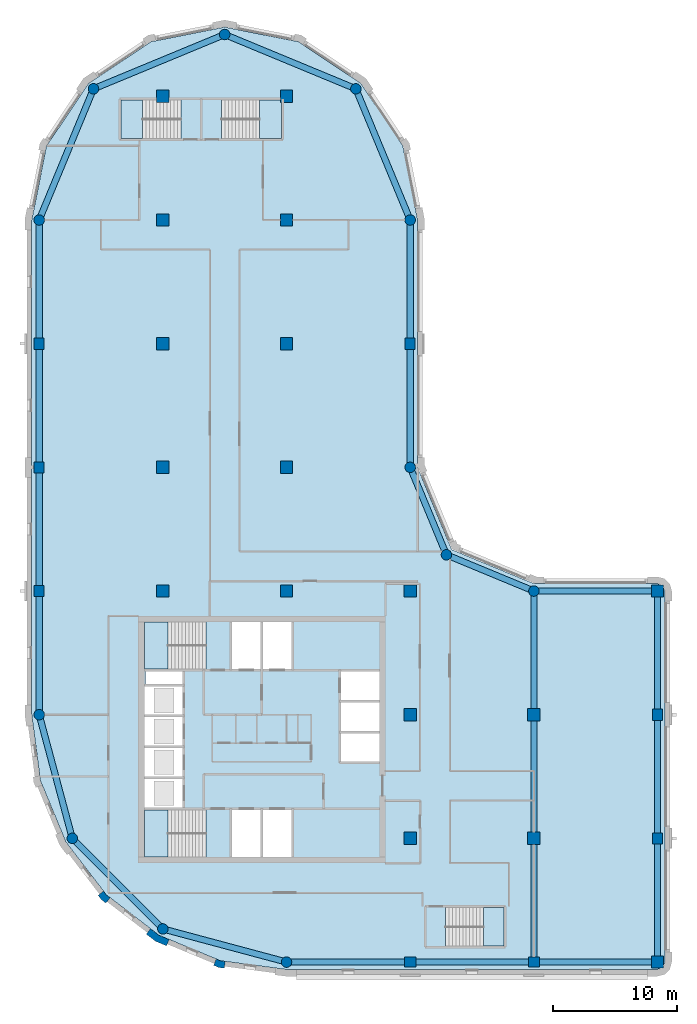
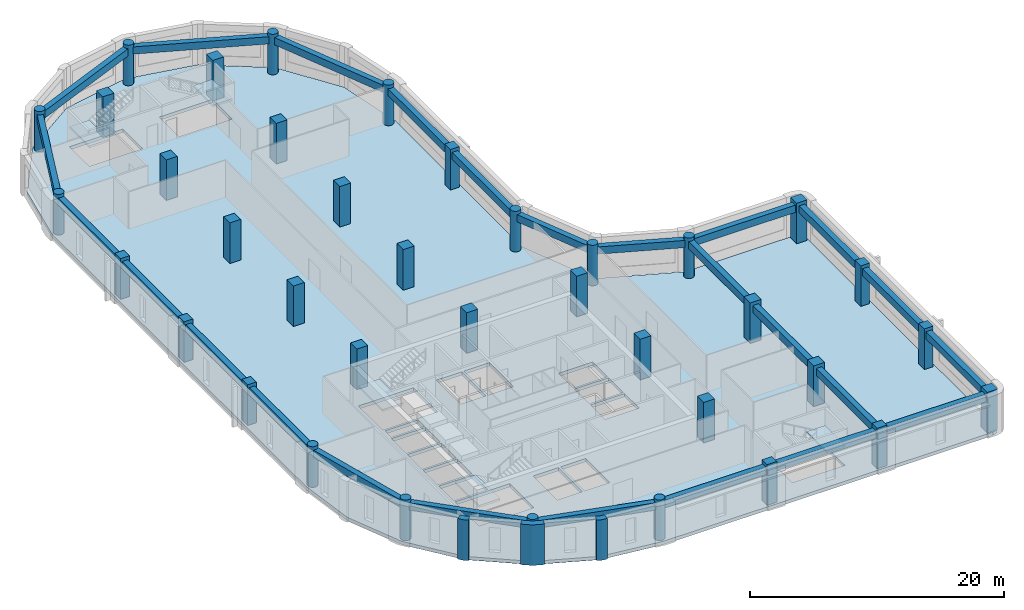
# One storey, part 1 of 8: 37 columns, 25 beams, 6 slabs, 3 walls, 5 elements without a shape of their own.
"""IFC4 building model written with IfcOpenShell, lengths in metres."""

from ifc_helpers import new_model, si_unit, direction, frame, origin, origin_2d, place, context, subcontext, project, spatial, polyline, rectangle, circle, outline, extrude, material, layer, layer_set, material_profile, profile_set, type_object, element, aggregate, save


model = new_model("IFC4")

# Units and contexts
model_context = context("Model", 3, precision=1e-05, world=origin(), true_north=direction((0.0, 1.0)))
body_context = subcontext(model_context, "Body", "Model", "MODEL_VIEW")
ifc_project = project(units=[si_unit("LENGTHUNIT", "METRE"), si_unit("AREAUNIT", "SQUARE_METRE"), si_unit("VOLUMEUNIT", "CUBIC_METRE"), si_unit("PLANEANGLEUNIT", "RADIAN"), si_unit("MASSUNIT", "GRAM", prefix="KILO")], contexts=[model_context])

# Site, building, storey
site_placement = place(None, origin())
site = spatial("IfcSite", under=ifc_project, at=site_placement, CompositionType="ELEMENT")
building_placement = place(site_placement, origin())
building = spatial("IfcBuilding", under=site, at=building_placement, Name="Qaws Garden Tower", CompositionType="ELEMENT")
storey_placement = place(building_placement, frame((0.0, 0.0, 274.800048828125)))
storey = spatial("IfcBuildingStorey", under=building, at=storey_placement, Name="L66", CompositionType="ELEMENT", Elevation=274.800048828125)

# Columns
ifc_material_1 = material(Name="Concrete C60", Category="concrete")
ifc_material_profile_1 = material_profile(ifc_material_1, rectangle(XDim=1.0, YDim=1.0, at=origin_2d()), Name="RC 1000x1000")
ifc_profile_set_1 = profile_set([ifc_material_profile_1], Name="Concrete C60")
column_type_1 = type_object("IfcColumnType", Name="Column RC 1000x1000 C60", PredefinedType="COLUMN", material=ifc_profile_set_1)
for number, where, z_axis, x_axis, name in (
    (1, (10.0, 30.0, 0.0), (0.0, 0.0, 1.0), (1.0, 0.0, 0.0), "Column L66-023"),
    (2, (10.0, 40.0, 0.0), (0.0, 0.0, 1.0), (1.0, 0.0, 0.0), "Column L66-024"),
    (3, (10.0, 50.0, 0.0), (0.0, 0.0, 1.0), (1.0, 0.0, 0.0), "Column L66-025"),
    (4, (10.0, 60.0, 0.0), (0.0, 0.0, 1.0), (1.0, 0.0, 0.0), "Column L66-026"),
    (5, (10.0, 70.0, 0.0), (0.0, 0.0, 1.0), (1.0, 0.0, 0.0), "Column L66-027"),
    (6, (20.0, 30.0, 0.0), (0.0, 0.0, 1.0), (1.0, 0.0, 0.0), "Column L66-028"),
    (7, (20.0, 40.0, 0.0), (0.0, 0.0, 1.0), (1.0, 0.0, 0.0), "Column L66-029"),
    (8, (20.0, 50.0, 0.0), (0.0, 0.0, 1.0), (1.0, 0.0, 0.0), "Column L66-030"),
    (9, (20.0, 60.0, 0.0), (0.0, 0.0, 1.0), (1.0, 0.0, 0.0), "Column L66-031"),
    (10, (20.0, 70.0, 0.0), (0.0, 0.0, 1.0), (1.0, 0.0, 0.0), "Column L66-032"),
    (11, (30.0, 10.0, 0.0), (0.0, 0.0, 1.0), (1.0, 0.0, 0.0), "Column L66-033"),
    (12, (30.0, 20.0, 0.0), (0.0, 0.0, 1.0), (1.0, 0.0, 0.0), "Column L66-034"),
    (13, (30.0, 30.0, 0.0), (0.0, 0.0, 1.0), (1.0, 0.0, 0.0), "Column L66-035"),
    (14, (40.0, 10.0, 0.0), (0.0, 0.0, 1.0), (1.0, 0.0, 0.0), "Column L66-036"),
    (15, (40.0, 20.0, 0.0), (0.0, 0.0, 1.0), (1.0, 0.0, 0.0), "Column L66-037"),
):
    element("IfcColumn", number, at=place(storey_placement, frame(where, z_axis=z_axis, x_axis=x_axis)), inside=storey, type_object=column_type_1, Name=name, PredefinedType="COLUMN", context=body_context, shape_type="SweptSolid", body=[
        extrude(rectangle(XDim=1.0, YDim=1.0, at=origin_2d()), origin(), (0.0, 0.0, 1.0), 3.89990234375),
    ])
ifc_material_2 = material(Name="Concrete C60", Category="concrete")
ifc_material_profile_2 = material_profile(ifc_material_2, rectangle(XDim=0.89990234375, YDim=0.800048828125, at=origin_2d()), Name="RC 900x800")
ifc_profile_set_2 = profile_set([ifc_material_profile_2], Name="Concrete C60")
column_type_2 = type_object("IfcColumnType", Name="Column RC 900x800 C60", PredefinedType="COLUMN", material=ifc_profile_set_2)
for number, where, z_axis, x_axis, name in (
    (16, (30.0, 0.0, 0.0), (0.0, 0.0, 1.0), (1.0, 0.0, 0.0), "Column L66-002"),
    (17, (40.0, 0.0, 0.0), (0.0, 0.0, 1.0), (1.0, 0.0, 0.0), "Column L66-003"),
    (18, (50.0, 10.0, 0.0), (0.0, 0.0, 1.0), (0.0, 1.0, 0.0), "Column L66-005"),
    (19, (50.0, 20.0, 0.0), (0.0, 0.0, 1.0), (0.0, 1.0, 0.0), "Column L66-006"),
    (20, (30.0, 50.0, 0.0), (0.0, 0.0, 1.0), (0.0, 1.0, 0.0), "Column L66-011"),
    (21, (0.0, 50.0, 0.0), (0.0, 0.0, 1.0), (0.0, 1.0, 0.0), "Column L66-017"),
    (22, (0.0, 40.0, 0.0), (0.0, 0.0, 1.0), (0.0, 1.0, 0.0), "Column L66-018"),
    (23, (0.0, 30.0, 0.0), (0.0, 0.0, 1.0), (0.0, 1.0, 0.0), "Column L66-019"),
):
    element("IfcColumn", number, at=place(storey_placement, frame(where, z_axis=z_axis, x_axis=x_axis)), inside=storey, type_object=column_type_2, Name=name, PredefinedType="COLUMN", context=body_context, shape_type="SweptSolid", body=[
        extrude(rectangle(XDim=0.89990234375, YDim=0.800048828125, at=origin_2d()), origin(), (0.0, 0.0, 1.0), 3.89990234375),
    ])
ifc_material_3 = material(Name="Concrete C60", Category="concrete")
ifc_material_profile_3 = material_profile(ifc_material_3, rectangle(XDim=0.949951171875, YDim=0.949951171875, at=origin_2d()), Name="RC 950x950")
ifc_profile_set_3 = profile_set([ifc_material_profile_3], Name="Concrete C60")
column_type_3 = type_object("IfcColumnType", Name="Column RC 950x950 C60", PredefinedType="COLUMN", material=ifc_profile_set_3)
for number, where, z_axis, x_axis, name in (
    (24, (50.0, 0.0, 0.0), (0.0, 0.0, 1.0), (1.0, 0.0, 0.0), "Column L66-004"),
    (25, (50.0, 30.0, 0.0), (0.0, 0.0, 1.0), (1.0, 0.0, 0.0), "Column L66-007"),
):
    element("IfcColumn", number, at=place(storey_placement, frame(where, z_axis=z_axis, x_axis=x_axis)), inside=storey, type_object=column_type_3, Name=name, PredefinedType="COLUMN", context=body_context, shape_type="SweptSolid", body=[
        extrude(rectangle(XDim=0.949951171875, YDim=0.949951171875, at=origin_2d()), origin(), (0.0, 0.0, 1.0), 3.89990234375),
    ])
ifc_material_4 = material(Name="Concrete C60", Category="concrete")
ifc_material_profile_4 = material_profile(ifc_material_4, circle(Radius=0.425048828125, at=origin_2d()), Name="RC D850")
ifc_profile_set_4 = profile_set([ifc_material_profile_4], Name="Concrete C60")
column_type_4 = type_object("IfcColumnType", Name="Column RC D850 C60", PredefinedType="COLUMN", material=ifc_profile_set_4)
for number, where, z_axis, x_axis, name in (
    (26, (20.0, 0.0, 0.0), (0.0, 0.0, 1.0), (1.0, 0.0, 0.0), "Column L66-001"),
    (27, (40.0, 30.0, 0.0), (0.0, 0.0, 1.0), (1.0, 0.0, 0.0), "Column L66-008"),
    (28, (32.928955078125, 32.928955078125, 0.0), (0.0, 0.0, 1.0), (1.0, 0.0, 0.0), "Column L66-009"),
    (29, (30.0, 40.0, 0.0), (0.0, 0.0, 1.0), (1.0, 0.0, 0.0), "Column L66-010"),
    (30, (30.0, 60.0, 0.0), (0.0, 0.0, 1.0), (1.0, 0.0, 0.0), "Column L66-012"),
    (31, (25.606689453125, 70.606689453125, 0.0), (0.0, 0.0, 1.0), (1.0, 0.0, 0.0), "Column L66-013"),
    (32, (15.0, 75.0, 0.0), (0.0, 0.0, 1.0), (1.0, 0.0, 0.0), "Column L66-014"),
    (33, (4.393310546875, 70.606689453125, 0.0), (0.0, 0.0, 1.0), (1.0, 0.0, 0.0), "Column L66-015"),
    (34, (0.0, 60.0, 0.0), (0.0, 0.0, 1.0), (1.0, 0.0, 0.0), "Column L66-016"),
    (35, (0.0, 20.0, 0.0), (0.0, 0.0, 1.0), (1.0, 0.0, 0.0), "Column L66-020"),
    (36, (2.679443359375, 10.0, 0.0), (0.0, 0.0, 1.0), (1.0, 0.0, 0.0), "Column L66-021"),
    (37, (10.0, 2.679443359375, 0.0), (0.0, 0.0, 1.0), (1.0, 0.0, 0.0), "Column L66-022"),
):
    element("IfcColumn", number, at=place(storey_placement, frame(where, z_axis=z_axis, x_axis=x_axis)), inside=storey, type_object=column_type_4, Name=name, PredefinedType="COLUMN", context=body_context, shape_type="SweptSolid", body=[
        extrude(circle(Radius=0.425048828125, at=origin_2d()), origin(), (0.0, 0.0, 1.0), 3.89990234375),
    ])

# Beams
ifc_material_5 = material(Name="Concrete C45", Category="concrete")
ifc_material_profile_5 = material_profile(ifc_material_5, rectangle(XDim=0.5, YDim=0.699951171875, at=origin_2d()), Name="RC 500x700")
ifc_profile_set_5 = profile_set([ifc_material_profile_5], Name="Concrete C45")
beam_type = type_object("IfcBeamType", Name="Spandrel beam RC 500x700 C45", PredefinedType="SPANDREL", material=ifc_profile_set_5)
for number, where, z_axis, x_axis, name in (
    (38, (20.0, 0.0, 3.22998046875), (1.0, 0.0, 0.0), (0.0, 1.0, 0.0), "Spandrel beam L66-001"),
    (39, (30.0, 0.0, 3.22998046875), (1.0, 0.0, 0.0), (0.0, 1.0, 0.0), "Spandrel beam L66-002"),
    (40, (40.0, 0.0, 3.22998046875), (1.0, 0.0, 0.0), (0.0, 1.0, 0.0), "Spandrel beam L66-003"),
    (41, (50.0, 0.0, 3.22998046875), (0.0, 1.0, 0.0), (-1.0, 0.0, 0.0), "Spandrel beam L66-004"),
    (42, (50.0, 10.0, 3.22998046875), (0.0, 1.0, 0.0), (-1.0, 0.0, 0.0), "Spandrel beam L66-005"),
    (43, (50.0, 20.0, 3.22998046875), (0.0, 1.0, 0.0), (-1.0, 0.0, 0.0), "Spandrel beam L66-006"),
    (44, (50.0, 30.0, 3.22998046875), (-1.0, 0.0, 0.0), (0.0, -1.0, 0.0), "Spandrel beam L66-007"),
):
    element("IfcBeam", number, at=place(storey_placement, frame(where, z_axis=z_axis, x_axis=x_axis)), inside=storey, type_object=beam_type, Name=name, PredefinedType="SPANDREL", context=body_context, shape_type="SweptSolid", body=[
        extrude(rectangle(XDim=0.5, YDim=0.699951171875, at=origin_2d()), origin(), (0.0, 0.0, 1.0), 10.0),
    ])
for number, where, z_axis, x_axis, name in (
    (45, (40.0, 30.0, 3.22998046875), (-0.923878037141, 0.382687042488, 0.0), (-0.382687042488, -0.923878037141, 0.0), "Spandrel beam L66-008"),
    (46, (32.928955078125, 32.928955078125, 3.22998046875), (-0.382687042488, 0.923878037141, 0.0), (-0.923878037141, -0.382687042488, 0.0), "Spandrel beam L66-009"),
):
    element("IfcBeam", number, at=place(storey_placement, frame(where, z_axis=z_axis, x_axis=x_axis)), inside=storey, type_object=beam_type, Name=name, PredefinedType="SPANDREL", context=body_context, shape_type="SweptSolid", body=[
        extrude(rectangle(XDim=0.5, YDim=0.699951171875, at=origin_2d()), origin(), (0.0, 0.0, 1.0), 7.653564453125),
    ])
for number, where, z_axis, x_axis, name in (
    (47, (30.0, 40.0, 3.22998046875), (0.0, 1.0, 0.0), (-1.0, 0.0, 0.0), "Spandrel beam L66-010"),
    (48, (30.0, 50.0, 3.22998046875), (0.0, 1.0, 0.0), (-1.0, 0.0, 0.0), "Spandrel beam L66-011"),
):
    element("IfcBeam", number, at=place(storey_placement, frame(where, z_axis=z_axis, x_axis=x_axis)), inside=storey, type_object=beam_type, Name=name, PredefinedType="SPANDREL", context=body_context, shape_type="SweptSolid", body=[
        extrude(rectangle(XDim=0.5, YDim=0.699951171875, at=origin_2d()), origin(), (0.0, 0.0, 1.0), 10.0),
    ])
for number, where, z_axis, x_axis, name in (
    (49, (30.0, 60.0, 3.22998046875), (-0.382674207535, 0.923883353507, 0.0), (-0.923883353507, -0.382674207535, 0.0), "Spandrel beam L66-012"),
    (50, (25.606689453125, 70.606689453125, 3.22998046875), (-0.923883353507, 0.382674207535, 0.0), (-0.382674207535, -0.923883353507, 0.0), "Spandrel beam L66-013"),
    (51, (15.0, 75.0, 3.22998046875), (-0.923883353507, -0.382674207535, 0.0), (0.382674207535, -0.923883353507, 0.0), "Spandrel beam L66-014"),
    (52, (4.393310546875, 70.606689453125, 3.22998046875), (-0.382674207535, -0.923883353507, 0.0), (0.923883353507, -0.382674207535, 0.0), "Spandrel beam L66-015"),
):
    element("IfcBeam", number, at=place(storey_placement, frame(where, z_axis=z_axis, x_axis=x_axis)), inside=storey, type_object=beam_type, Name=name, PredefinedType="SPANDREL", context=body_context, shape_type="SweptSolid", body=[
        extrude(rectangle(XDim=0.5, YDim=0.699951171875, at=origin_2d()), origin(), (0.0, 0.0, 1.0), 11.48046875),
    ])
for number, where, z_axis, x_axis, name in (
    (53, (0.0, 60.0, 3.22998046875), (0.0, -1.0, 0.0), (1.0, 0.0, 0.0), "Spandrel beam L66-016"),
    (54, (0.0, 50.0, 3.22998046875), (0.0, -1.0, 0.0), (1.0, 0.0, 0.0), "Spandrel beam L66-017"),
    (55, (0.0, 40.0, 3.22998046875), (0.0, -1.0, 0.0), (1.0, 0.0, 0.0), "Spandrel beam L66-018"),
    (56, (0.0, 30.0, 3.22998046875), (0.0, -1.0, 0.0), (1.0, 0.0, 0.0), "Spandrel beam L66-019"),
):
    element("IfcBeam", number, at=place(storey_placement, frame(where, z_axis=z_axis, x_axis=x_axis)), inside=storey, type_object=beam_type, Name=name, PredefinedType="SPANDREL", context=body_context, shape_type="SweptSolid", body=[
        extrude(rectangle(XDim=0.5, YDim=0.699951171875, at=origin_2d()), origin(), (0.0, 0.0, 1.0), 10.0),
    ])
for number, where, z_axis, x_axis, name in (
    (57, (0.0, 20.0, 3.22998046875), (0.25881466832, -0.965926999034, 0.0), (0.965926999034, 0.25881466832, 0.0), "Spandrel beam L66-020"),
    (58, (2.679443359375, 10.0, 3.22998046875), (0.707106781187, -0.707106781187, 0.0), (0.707106781187, 0.707106781187, 0.0), "Spandrel beam L66-021"),
    (59, (10.0, 2.679443359375, 3.22998046875), (0.965926999034, -0.25881466832, 0.0), (0.25881466832, 0.965926999034, 0.0), "Spandrel beam L66-022"),
):
    element("IfcBeam", number, at=place(storey_placement, frame(where, z_axis=z_axis, x_axis=x_axis)), inside=storey, type_object=beam_type, Name=name, PredefinedType="SPANDREL", context=body_context, shape_type="SweptSolid", body=[
        extrude(rectangle(XDim=0.5, YDim=0.699951171875, at=origin_2d()), origin(), (0.0, 0.0, 1.0), 10.352783203125),
    ])
for number, where, z_axis, x_axis, name in (
    (60, (40.0, 0.0, 3.22998046875), (0.0, 1.0, 0.0), (-1.0, 0.0, 0.0), "Spandrel beam L66-023"),
    (61, (40.0, 10.0, 3.22998046875), (0.0, 1.0, 0.0), (-1.0, 0.0, 0.0), "Spandrel beam L66-024"),
    (62, (40.0, 20.0, 3.22998046875), (0.0, 1.0, 0.0), (-1.0, 0.0, 0.0), "Spandrel beam L66-025"),
):
    element("IfcBeam", number, at=place(storey_placement, frame(where, z_axis=z_axis, x_axis=x_axis)), inside=storey, type_object=beam_type, Name=name, PredefinedType="SPANDREL", context=body_context, shape_type="SweptSolid", body=[
        extrude(rectangle(XDim=0.5, YDim=0.699951171875, at=origin_2d()), origin(), (0.0, 0.0, 1.0), 10.0),
    ])

# Slab
ifc_material_6 = material(Name="Concrete C40", Category="concrete")
ifc_layer_1 = layer(ifc_material_6, 0.320068359375)
ifc_layer_set_1 = layer_set([ifc_layer_1], Name="Concrete C40")
slab_type_1 = type_object("IfcSlabType", Name="Floor slab 320 C40", PredefinedType="FLOOR", material=ifc_layer_set_1)
slab_1_placement = place(storey_placement, frame((0.0, 0.0, -0.320068359375)))
element("IfcSlab", 63, at=slab_1_placement, inside=storey, type_object=slab_type_1, Name="Floor slab L66", PredefinedType="FLOOR", context=body_context, shape_type="SweptSolid", body=[
    extrude(outline(polyline([(0.101806640625, 14.668212890625), (-0.60009765625, 20.0), (-0.60009765625, 30.60009765625), (-0.60009765625, 60.0), (-0.60009765625, 60.0), (0.58740234375, 65.969970703125), (3.968994140625, 71.031005859375), (9.030029296875, 74.41259765625), (15.0, 75.60009765625), (20.969970703125, 74.41259765625), (26.031005859375, 71.031005859375), (29.41259765625, 65.969970703125), (30.60009765625, 60.0), (30.60009765625, 40.0), (33.353271484375, 33.353271484375), (40.0, 30.60009765625), (50.0, 30.60009765625), (50.42431640625, 30.42431640625), (50.60009765625, 30.0), (50.60009765625, 0.0), (50.42431640625, -0.42431640625), (50.0, -0.60009765625), (30.60009765625, -0.60009765625), (20.0, -0.60009765625), (14.668212890625, 0.101806640625), (9.699951171875, 2.159912109375), (5.43359375, 5.43359375), (2.159912109375, 9.699951171875), (0.101806640625, 14.668212890625)]), holes=[polyline([(13.49951171875, 12.300048828125), (8.5, 12.300048828125), (8.5, 8.5), (13.49951171875, 8.5), (13.49951171875, 12.300048828125)]), polyline([(17.89990234375, 12.300048828125), (15.60009765625, 12.300048828125), (15.60009765625, 8.5), (17.89990234375, 8.5), (17.89990234375, 12.300048828125)]), polyline([(11.60009765625, 14.800048828125), (8.5, 14.800048828125), (8.5, 12.5), (11.60009765625, 12.5), (11.60009765625, 14.800048828125)]), polyline([(11.60009765625, 17.300048828125), (8.5, 17.300048828125), (8.5, 15.0), (11.60009765625, 15.0), (11.60009765625, 17.300048828125)]), polyline([(11.60009765625, 19.800048828125), (8.5, 19.800048828125), (8.5, 17.5), (11.60009765625, 17.5), (11.60009765625, 19.800048828125)]), polyline([(11.60009765625, 22.300048828125), (8.5, 22.300048828125), (8.5, 20.0), (11.60009765625, 20.0), (11.60009765625, 22.300048828125)]), polyline([(11.60009765625, 23.5), (8.60009765625, 23.5), (8.60009765625, 22.5), (11.60009765625, 22.5), (11.60009765625, 23.5)]), polyline([(13.49951171875, 27.5), (8.5, 27.5), (8.5, 23.699951171875), (13.49951171875, 23.699951171875), (13.49951171875, 27.5)]), polyline([(11.449462890625, 69.699951171875), (6.60009765625, 69.699951171875), (6.60009765625, 66.60009765625), (11.449462890625, 66.60009765625), (11.449462890625, 69.699951171875)]), polyline([(37.60009765625, 4.39990234375), (32.8505859375, 4.39990234375), (32.8505859375, 1.300048828125), (37.60009765625, 1.300048828125), (37.60009765625, 4.39990234375)]), polyline([(20.39990234375, 12.300048828125), (18.10009765625, 12.300048828125), (18.10009765625, 8.5), (20.39990234375, 8.5), (20.39990234375, 12.300048828125)]), polyline([(27.5, 18.5), (24.39990234375, 18.5), (24.39990234375, 16.199951171875), (27.5, 16.199951171875), (27.5, 18.5)]), polyline([(27.5, 21.0), (24.39990234375, 21.0), (24.39990234375, 18.699951171875), (27.5, 18.699951171875), (27.5, 21.0)]), polyline([(27.5, 23.5), (24.39990234375, 23.5), (24.39990234375, 21.199951171875), (27.5, 21.199951171875), (27.5, 23.5)]), polyline([(17.89990234375, 27.5), (15.60009765625, 27.5), (15.60009765625, 23.699951171875), (17.89990234375, 23.699951171875), (17.89990234375, 27.5)]), polyline([(20.39990234375, 23.699951171875), (20.39990234375, 27.5), (18.10009765625, 27.5), (18.10009765625, 23.699951171875), (20.39990234375, 23.699951171875)]), polyline([(19.60009765625, 66.60009765625), (19.60009765625, 69.699951171875), (14.75048828125, 69.699951171875), (14.75048828125, 66.60009765625), (19.60009765625, 66.60009765625)])]), origin(), (0.0, 0.0, 1.0), 0.320068359375),
])

# Stair, slab
ifc_material_7 = material(Name="Concrete C40", Category="concrete")
stair_type_1 = type_object("IfcStairType", Name="Exit stair 1500", PredefinedType="HALF_TURN_STAIR", material=ifc_material_7)
placement_1 = place(storey_placement, origin())
stair_1 = element("IfcStair", 64, at=placement_1, inside=storey, type_object=stair_type_1, Name="Stair 1", PredefinedType="HALF_TURN_STAIR")
ifc_material_8 = material(Name="Concrete C40", Category="concrete")
ifc_layer_2 = layer(ifc_material_8, 0.199951171875)
ifc_layer_set_2 = layer_set([ifc_layer_2], Name="Concrete C40")
slab_type_2 = type_object("IfcSlabType", Name="Stair landing 200", PredefinedType="LANDING", material=ifc_layer_set_2)
placement_2 = place(storey_placement, frame((0.0, 0.0, 1.75)))
slab_2 = element("IfcSlab", 65, at=placement_2, type_object=slab_type_2, Name="ST1 landing 1", PredefinedType="LANDING", context=body_context, shape_type="SweptSolid", body=[
    extrude(outline(polyline([(8.5, 8.5), (10.419921875, 8.5), (10.419921875, 12.300048828125), (8.5, 12.300048828125), (8.5, 8.5)])), origin(), (0.0, 0.0, 1.0), 0.199951171875),
])
aggregate(stair_1, [slab_2])

stair_2 = element("IfcStair", 66, at=placement_1, inside=storey, type_object=stair_type_1, Name="Stair 4", PredefinedType="HALF_TURN_STAIR")
slab_3 = element("IfcSlab", 67, at=placement_2, type_object=slab_type_2, Name="ST4 landing 1", PredefinedType="LANDING", context=body_context, shape_type="SweptSolid", body=[
    extrude(outline(polyline([(8.5, 23.699951171875), (10.419921875, 23.699951171875), (10.419921875, 27.5), (8.5, 27.5), (8.5, 23.699951171875)])), origin(), (0.0, 0.0, 1.0), 0.199951171875),
])
aggregate(stair_2, [slab_3])

ifc_material_9 = material(Name="Concrete C40", Category="concrete")
stair_type_2 = type_object("IfcStairType", Name="Exit stair 1350", PredefinedType="HALF_TURN_STAIR", material=ifc_material_9)
stair_3 = element("IfcStair", 68, at=placement_1, inside=storey, type_object=stair_type_2, Name="Stair 5", PredefinedType="HALF_TURN_STAIR")
slab_4 = element("IfcSlab", 69, at=placement_2, type_object=slab_type_2, Name="ST5 landing 1", PredefinedType="LANDING", context=body_context, shape_type="SweptSolid", body=[
    extrude(outline(polyline([(35.929931640625, 1.300048828125), (37.60009765625, 1.300048828125), (37.60009765625, 4.39990234375), (35.929931640625, 4.39990234375), (35.929931640625, 1.300048828125)])), origin(), (0.0, 0.0, 1.0), 0.199951171875),
])
aggregate(stair_3, [slab_4])

stair_4 = element("IfcStair", 70, at=placement_1, inside=storey, type_object=stair_type_2, Name="Stair 6", PredefinedType="HALF_TURN_STAIR")
slab_5 = element("IfcSlab", 71, at=placement_2, type_object=slab_type_2, Name="ST6 landing 1", PredefinedType="LANDING", context=body_context, shape_type="SweptSolid", body=[
    extrude(outline(polyline([(6.60009765625, 66.60009765625), (8.3701171875, 66.60009765625), (8.3701171875, 69.699951171875), (6.60009765625, 69.699951171875), (6.60009765625, 66.60009765625)])), origin(), (0.0, 0.0, 1.0), 0.199951171875),
])
aggregate(stair_4, [slab_5])

stair_5 = element("IfcStair", 72, at=placement_1, inside=storey, type_object=stair_type_2, Name="Stair 7", PredefinedType="HALF_TURN_STAIR")
slab_6 = element("IfcSlab", 73, at=placement_2, type_object=slab_type_2, Name="ST7 landing 1", PredefinedType="LANDING", context=body_context, shape_type="SweptSolid", body=[
    extrude(outline(polyline([(17.830078125, 66.60009765625), (19.60009765625, 66.60009765625), (19.60009765625, 69.699951171875), (17.830078125, 69.699951171875), (17.830078125, 66.60009765625)])), origin(), (0.0, 0.0, 1.0), 0.199951171875),
])
aggregate(stair_5, [slab_6])

# Walls
ifc_material_10 = material(Name="Buff clay facing brick masonry", Category="masonry")
ifc_layer_3 = layer(ifc_material_10, 0.550048828125)
ifc_layer_set_3 = layer_set([ifc_layer_3], Name="Buff clay facing brick masonry")
wall_type_1 = type_object("IfcWallType", Name="Buff brick kink pier 550 x 600", PredefinedType="SOLIDWALL", material=ifc_layer_set_3)
element("IfcWall", 74, at=placement_1, inside=storey, type_object=wall_type_1, Name="E-L66-pier-26", PredefinedType="SOLIDWALL", context=body_context, shape_type="SweptSolid", body=[
    extrude(outline(polyline([(4.8818359375, 5.487060546875), (4.762939453125, 5.395751953125), (5.03759765625, 5.03759765625), (5.395751953125, 4.762939453125), (5.487060546875, 4.8818359375), (5.730712890625, 5.19921875), (5.429931640625, 5.429931640625), (5.19921875, 5.730712890625), (4.8818359375, 5.487060546875)])), origin(), (0.0, 0.0, 1.0), 3.89990234375),
])
element("IfcWall", 75, at=placement_1, inside=storey, type_object=wall_type_1, Name="E-L66-pier-28", PredefinedType="SOLIDWALL", context=body_context, shape_type="SweptSolid", body=[
    extrude(outline(polyline([(14.163818359375, -0.127685546875), (14.1064453125, -0.26611328125), (14.5234375, -0.43896484375), (14.970947265625, -0.497802734375), (14.990478515625, -0.34912109375), (15.042724609375, 0.04736328125), (14.6669921875, 0.096923828125), (14.31689453125, 0.241943359375), (14.163818359375, -0.127685546875)])), origin(), (0.0, 0.0, 1.0), 3.89990234375),
])
ifc_material_11 = material(Name="Buff clay facing brick masonry", Category="masonry")
ifc_layer_4 = layer(ifc_material_11, 0.550048828125)
ifc_layer_set_4 = layer_set([ifc_layer_4], Name="Buff clay facing brick masonry")
wall_type_2 = type_object("IfcWallType", Name="Buff brick pier 550 x 1600", PredefinedType="SOLIDWALL", material=ifc_layer_set_4)
element("IfcWall", 76, at=placement_1, inside=storey, type_object=wall_type_2, Name="E-L66-pier-27", PredefinedType="SOLIDWALL", context=body_context, shape_type="SweptSolid", body=[
    extrude(outline(polyline([(8.756591796875, 2.373046875), (8.665283203125, 2.254150390625), (9.419921875, 1.675048828125), (10.299072265625, 1.310791015625), (10.3564453125, 1.449462890625), (10.509521484375, 1.819091796875), (9.697509765625, 2.1552734375), (9.0, 2.6904296875), (8.756591796875, 2.373046875)])), origin(), (0.0, 0.0, 1.0), 3.89990234375),
])

save(model, "model.ifc")
